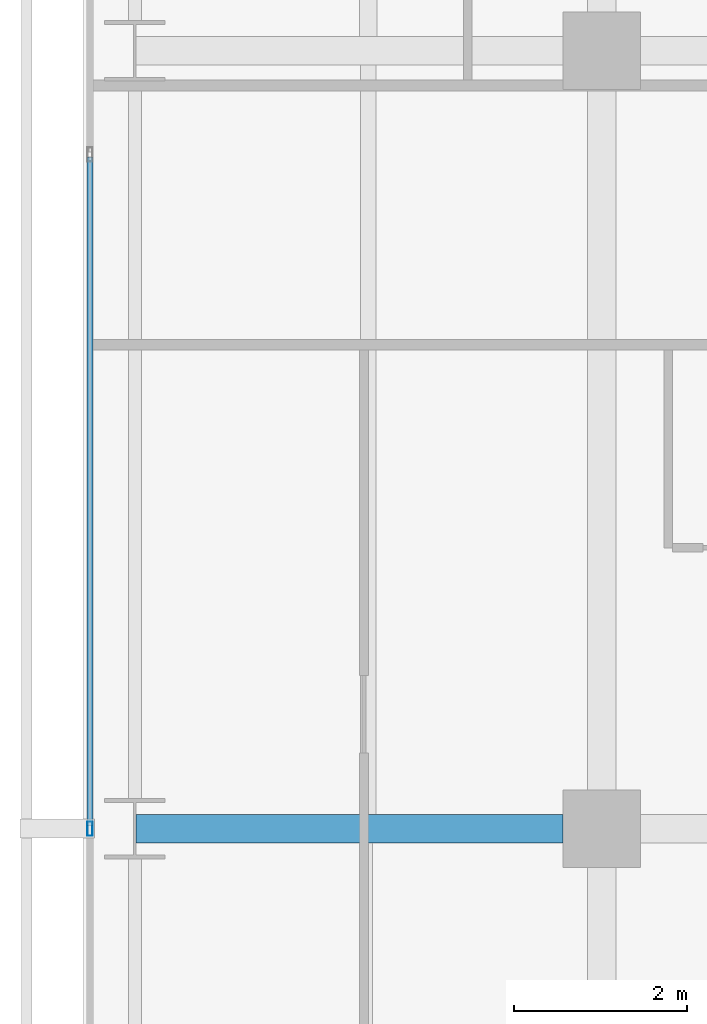
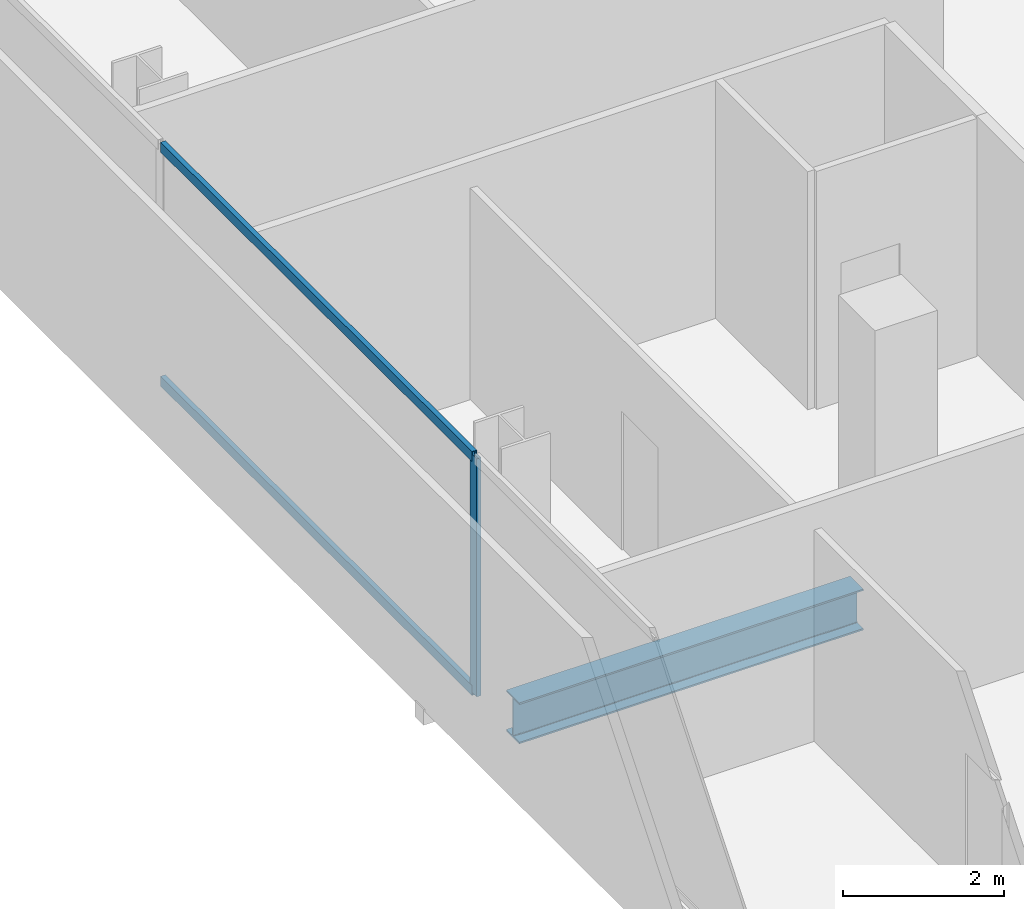
# One storey, part 12 of 40: 3 members, 1 beam, 1 element without a shape of its own.
"""IFC4 building model written with IfcOpenShell, lengths in metres."""

from ifc_helpers import new_model, si_unit, direction, frame, origin, origin_2d, place, context, subcontext, project, spatial, hollow_rectangle, i_section, extrude, material, layer, layer_set, material_profile, profile_set, type_object, element, aggregate, save


model = new_model("IFC4")

# Units and contexts
model_context = context("Model", 3, precision=1e-05, world=origin(), true_north=direction((0.0, 1.0)))
body_context = subcontext(model_context, "Body", "Model", "MODEL_VIEW")
ifc_project = project(units=[si_unit("LENGTHUNIT", "METRE"), si_unit("AREAUNIT", "SQUARE_METRE"), si_unit("VOLUMEUNIT", "CUBIC_METRE"), si_unit("PLANEANGLEUNIT", "RADIAN"), si_unit("MASSUNIT", "GRAM", prefix="KILO")], contexts=[model_context])

# Site, building, storey
site_placement = place(None, origin())
site = spatial("IfcSite", under=ifc_project, at=site_placement, CompositionType="ELEMENT")
building_placement = place(site_placement, origin())
building = spatial("IfcBuilding", under=site, at=building_placement, Name="Maruvema Waterfront Hotel and Observation Tower", CompositionType="ELEMENT")
storey_placement = place(building_placement, frame((0.0, 0.0, 73.14990234375)))
storey = spatial("IfcBuildingStorey", under=building, at=storey_placement, Name="L17", CompositionType="ELEMENT", Elevation=73.14990234375)

# Curtain wall, members
ifc_material_1 = material(Name="Anodised bronze aluminium and solar-control low-E IGU", Category="aluminium")
ifc_layer = layer(ifc_material_1, 0.159912109375, Name="Zone 1 Bronze Inner Thermal Curtain Wall System CW-02")
ifc_layer_set = layer_set([ifc_layer], Name="Anodised bronze aluminium and solar-control low-E IGU")
curtain_wall_type = type_object("IfcCurtainWallType", Name="Zone 1 Bronze Inner Thermal Curtain Wall System CW-02", PredefinedType="USERDEFINED", material=ifc_layer_set)
curtain_wall_placement = place(storey_placement, origin())
curtain_wall = element("IfcCurtainWall", 1, at=curtain_wall_placement, inside=storey, type_object=curtain_wall_type, Name="L17 Curtain Wall CW-L17-W", ObjectType="UNITISED CURTAIN WALL", PredefinedType="USERDEFINED")
ifc_material_2 = material(Name="Anodised architectural bronze aluminium", Category="aluminium")
ifc_material_profile_1 = material_profile(ifc_material_2, hollow_rectangle(XDim=0.070068359375, YDim=0.14990234375, WallThickness=0.00390625, at=origin_2d()), Name="ALU-T70x150")
ifc_profile_set_1 = profile_set([ifc_material_profile_1], Name="Anodised architectural bronze aluminium")
member_type_1 = type_object("IfcMemberType", Name="Curtain Wall Horizontal Transom ALU-T70x150", PredefinedType="USERDEFINED", material=ifc_profile_set_1)
member_1_placement = place(storey_placement, frame((10.8798828125, 34.77001953125, 0.030029296875), z_axis=(0.0, -1.0, 0.0), x_axis=(1.0, 0.0, 0.0)))
member_1 = element("IfcMember", 2, at=member_1_placement, type_object=member_type_1, Name="CW-02 transom 3.1", ObjectType="TRANSOM", PredefinedType="USERDEFINED", context=body_context, shape_type="SweptSolid", body=[
    extrude(hollow_rectangle(XDim=0.070068359375, YDim=0.14990234375, WallThickness=0.00390625, at=origin_2d()), origin(), (0.0, 0.0, 1.0), 7.739990234375),
])
member_2_placement = place(storey_placement, frame((10.8798828125, 34.77001953125, 3.580078125), z_axis=(0.0, -1.0, 0.0), x_axis=(1.0, 0.0, 0.0)))
member_2 = element("IfcMember", 3, at=member_2_placement, type_object=member_type_1, Name="CW-02 transom 3.2", ObjectType="TRANSOM", PredefinedType="USERDEFINED", context=body_context, shape_type="SweptSolid", body=[
    extrude(hollow_rectangle(XDim=0.070068359375, YDim=0.14990234375, WallThickness=0.00390625, at=origin_2d()), origin(), (0.0, 0.0, 1.0), 7.739990234375),
])
ifc_material_3 = material(Name="Anodised architectural bronze aluminium", Category="aluminium")
ifc_material_profile_2 = material_profile(ifc_material_3, hollow_rectangle(XDim=0.06494140625, YDim=0.1650390625, WallThickness=0.00390625, at=origin_2d()), Name="ALU-M65x165")
ifc_profile_set_2 = profile_set([ifc_material_profile_2], Name="Anodised architectural bronze aluminium")
member_type_2 = type_object("IfcMemberType", Name="Curtain Wall Primary Mullion ALU-M65x165", PredefinedType="MULLION", material=ifc_profile_set_2)
member_3_placement = place(storey_placement, frame((10.8798828125, 27.0, 0.0), z_axis=(0.0, 0.0, 1.0), x_axis=(1.0, 0.0, 0.0)))
member_3 = element("IfcMember", 4, at=member_3_placement, type_object=member_type_2, Name="CW-02 mullion 4", PredefinedType="MULLION", context=body_context, shape_type="SweptSolid", body=[
    extrude(hollow_rectangle(XDim=0.06494140625, YDim=0.1650390625, WallThickness=0.00390625, at=origin_2d()), origin(), (0.0, 0.0, 1.0), 3.610107421875),
])
aggregate(curtain_wall, [member_3, member_1, member_2])

# Beam
ifc_material_4 = material(Name="Steel ASTM A572 Grade 50", Category="steel")
ifc_material_profile_3 = material_profile(ifc_material_4, i_section(OverallWidth=0.326904296875, OverallDepth=0.6220703125, WebThickness=0.015380859375, FlangeThickness=0.0244140625, FilletRadius=0.01806640625, at=origin_2d()), Name="W610x195.0")
ifc_profile_set_3 = profile_set([ifc_material_profile_3], Name="Steel ASTM A572 Grade 50")
beam_type = type_object("IfcBeamType", Name="Primary Floor Girder W610x195.0", PredefinedType="BEAM", material=ifc_profile_set_3)
beam_placement = place(storey_placement, frame((11.4140625, 27.0, -0.55078125), z_axis=(1.0, 0.0, 0.0), x_axis=(0.0, 1.0, 0.0)))
element("IfcBeam", 5, at=beam_placement, inside=storey, type_object=beam_type, Name="L17 Floor Girder EW-20", PredefinedType="BEAM", context=body_context, shape_type="SweptSolid", body=[
    extrude(i_section(OverallWidth=0.326904296875, OverallDepth=0.6220703125, WebThickness=0.015380859375, FlangeThickness=0.0244140625, FilletRadius=0.01806640625, at=origin_2d()), origin(), (0.0, 0.0, 1.0), 4.93603515625),
])

save(model, "model.ifc")
